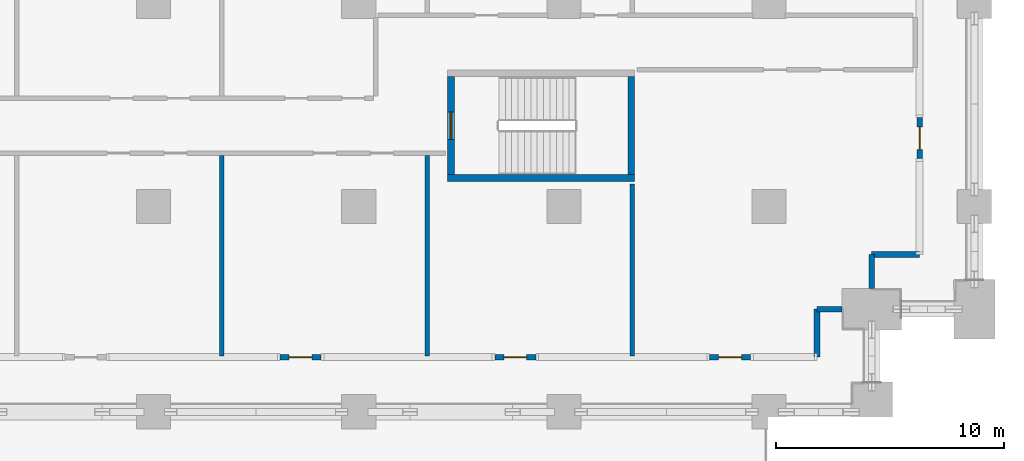
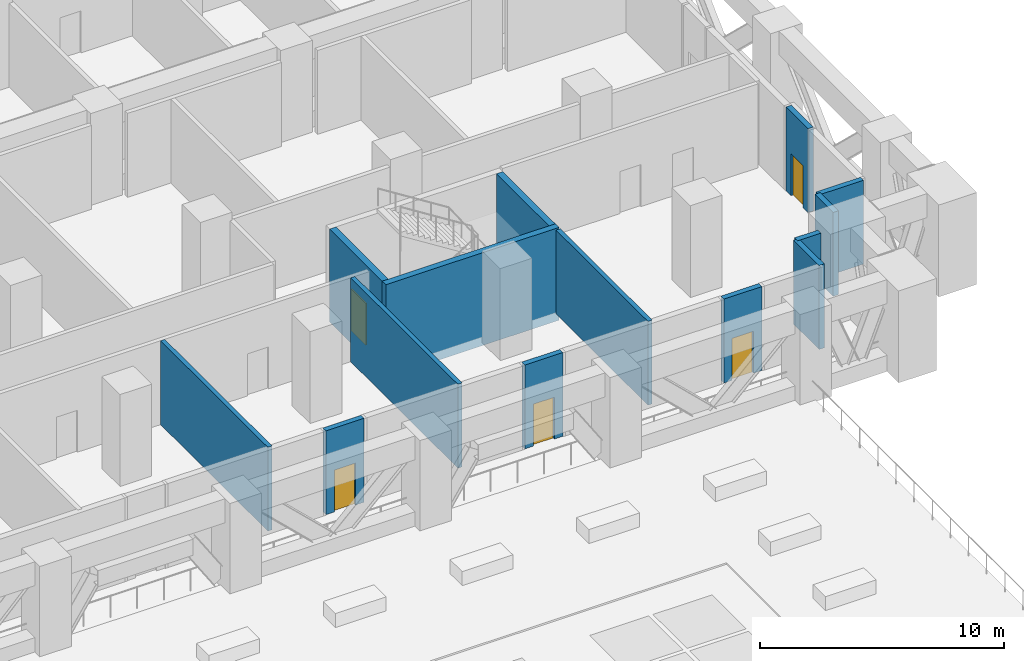
# One storey, part 14 of 31: 14 walls, 5 doors, 5 openings.
"""IFC4 building model written with IfcOpenShell, lengths in metres."""

from ifc_helpers import new_model, si_unit, direction, frame, frame_2d, origin, place, context, subcontext, project, spatial, rectangle, extrude, material, layer, layer_set, type_object, element, fill, save


model = new_model("IFC4")

# Units and contexts
model_context = context("Model", 3, precision=1e-05, world=origin(), true_north=direction((0.0, 1.0)))
body_context = subcontext(model_context, "Body", "Model", "MODEL_VIEW")
ifc_project = project(units=[si_unit("LENGTHUNIT", "METRE"), si_unit("AREAUNIT", "SQUARE_METRE"), si_unit("VOLUMEUNIT", "CUBIC_METRE"), si_unit("PLANEANGLEUNIT", "RADIAN"), si_unit("MASSUNIT", "GRAM", prefix="KILO")], contexts=[model_context])

# Site, building, storey
site_placement = place(None, origin())
site = spatial("IfcSite", under=ifc_project, at=site_placement, CompositionType="ELEMENT")
building_placement = place(site_placement, origin())
building = spatial("IfcBuilding", under=site, at=building_placement, Name="Hunhe Ridgeline Campus", CompositionType="ELEMENT")
storey_placement = place(building_placement, frame((0.0, 0.0, 31.199951171875)))
storey = spatial("IfcBuildingStorey", under=building, at=storey_placement, Name="L06", CompositionType="ELEMENT", Elevation=31.199951171875)

# Walls
ifc_material_1 = material(Name="Concrete C30", Category="concrete")
ifc_layer_1 = layer(ifc_material_1, 0.25)
ifc_layer_set_1 = layer_set([ifc_layer_1], Name="Corner return wall 250 Concrete C30")
wall_type_1 = type_object("IfcWallType", Name="Corner return wall 250 Concrete C30", PredefinedType="SOLIDWALL", material=ifc_layer_set_1)
wall_1_placement = place(storey_placement, frame((92.09912109375, 56.40087890625, 0.0), z_axis=(0.0, 0.0, 1.0), x_axis=(0.00011626555, 0.999999993241, 0.0)))
element("IfcWall", 1, at=wall_1_placement, inside=storey, type_object=wall_type_1, Name="Corner return wall 4", PredefinedType="SOLIDWALL", context=body_context, shape_type="SweptSolid", body=[
    extrude(rectangle(XDim=2.099853515625, YDim=0.25, at=frame_2d((1.0498046875, 0.0))), origin(), (0.0, 0.0, 1.0), 4.199951171875),
])
wall_2_placement = place(storey_placement, frame((92.099365234375, 58.500732421875, 0.0), z_axis=(0.0, 0.0, 1.0), x_axis=(1.0, 0.0, 0.0)))
element("IfcWall", 2, at=wall_2_placement, inside=storey, type_object=wall_type_1, Name="Corner return wall 5", PredefinedType="SOLIDWALL", context=body_context, shape_type="SweptSolid", body=[
    extrude(rectangle(XDim=1.1005859375, YDim=0.25, at=frame_2d((0.55029296875, 0.0))), origin(), (0.0, 0.0, 1.0), 4.199951171875),
])
wall_3_placement = place(storey_placement, frame((94.4990234375, 59.39990234375, 0.0), z_axis=(0.0, 0.0, 1.0), x_axis=(0.00016268098, 0.999999986767, 0.0)))
element("IfcWall", 3, at=wall_3_placement, inside=storey, type_object=wall_type_1, Name="Corner return wall 6", PredefinedType="SOLIDWALL", context=body_context, shape_type="SweptSolid", body=[
    extrude(rectangle(XDim=1.500732421875, YDim=0.25, at=frame_2d((0.75048828125, 0.0))), origin(), (0.0, 0.0, 1.0), 4.199951171875),
])
wall_4_placement = place(storey_placement, frame((94.499267578125, 60.900634765625, 0.0), z_axis=(0.0, 0.0, 1.0), x_axis=(0.999999993241, 0.00011626555, 0.0)))
element("IfcWall", 4, at=wall_4_placement, inside=storey, type_object=wall_type_1, Name="Corner return wall 7", PredefinedType="SOLIDWALL", context=body_context, shape_type="SweptSolid", body=[
    extrude(rectangle(XDim=2.099853515625, YDim=0.25, at=frame_2d((1.0498046875, 0.0))), origin(), (0.0, 0.0, 1.0), 4.199951171875),
])
ifc_material_2 = material(Name="Gypsum board partition")
ifc_layer_2 = layer(ifc_material_2, 0.199951171875)
ifc_layer_set_2 = layer_set([ifc_layer_2], Name="Corridor partition 200 gypsum board on steel studs")
wall_type_2 = type_object("IfcWallType", Name="Corridor partition 200 gypsum board on steel studs", PredefinedType="PARTITIONING", material=ifc_layer_set_2)
for number, where, z_axis, x_axis, name in (
    (5, (66.0, 65.25, 0.0), (0.0, 0.0, 1.0), (0.0, -1.0, 0.0), "F-L06-wall-079"),
    (6, (75.0, 65.25, 0.0), (0.0, 0.0, 1.0), (0.0, -1.0, 0.0), "F-L06-wall-083"),
):
    element("IfcWall", number, at=place(storey_placement, frame(where, z_axis=z_axis, x_axis=x_axis)), inside=storey, type_object=wall_type_2, Name=name, PredefinedType="PARTITIONING", context=body_context, shape_type="SweptSolid", body=[
        extrude(rectangle(XDim=8.795166015625, YDim=0.199951171875, at=frame_2d((4.3974609375, 0.0))), origin(), (0.0, 0.0, 1.0), 4.199951171875),
    ])
wall_5_placement = place(storey_placement, frame((84.0, 63.99609375, 0.0), z_axis=(0.0, 0.0, 1.0), x_axis=(0.0, -1.0, 0.0)))
element("IfcWall", 7, at=wall_5_placement, inside=storey, type_object=wall_type_2, Name="F-L06-wall-086", PredefinedType="PARTITIONING", context=body_context, shape_type="SweptSolid", body=[
    extrude(rectangle(XDim=7.541015625, YDim=0.199951171875, at=frame_2d((3.7705078125, 0.0))), origin(), (0.0, 0.0, 1.0), 4.199951171875),
])

# Wall, opening, door
ifc_layer_3 = layer(ifc_material_1, 0.25)
ifc_layer_set_3 = layer_set([ifc_layer_3], Name="Loggia door pier wall 250 Concrete C30")
wall_type_3 = type_object("IfcWallType", Name="Loggia door pier wall 250 Concrete C30", PredefinedType="SOLIDWALL", material=ifc_layer_set_3)
wall_6_placement = place(storey_placement, frame((68.54931640625, 56.40087890625, 0.0), z_axis=(0.0, 0.0, 1.0), x_axis=(1.0, 0.0, 0.0)))
wall_6 = element("IfcWall", 8, at=wall_6_placement, inside=storey, type_object=wall_type_3, Name="Loggia door pier 14", PredefinedType="SOLIDWALL", context=body_context, shape_type="SweptSolid", body=[
    extrude(rectangle(XDim=1.7998046875, YDim=0.25, at=frame_2d((0.89990234375, 0.0))), origin(), (0.0, 0.0, 1.0), 4.199951171875),
])
opening_1_placement = place(wall_6_placement, frame((0.39990234375, 0.0, 0.0)))
opening_1 = element("IfcOpeningElement", 9, at=opening_1_placement, cuts=wall_6, Name="Opening BR114", PredefinedType="OPENING", context=body_context, shape_type="SweptSolid", body=[
    extrude(rectangle(XDim=1.0, YDim=2.10009765625, at=frame_2d((0.5, 1.050048828125))), frame((0.0, 0.125, 0.0), z_axis=(0.0, -1.0, 0.0), x_axis=(1.0, 0.0, 0.0)), (0.0, 0.0, 1.0), 0.25),
])
ifc_material_3 = material(Name="Aluminium 6063", Category="aluminium")
door_type_1 = type_object("IfcDoorType", Name="Loggia glazed door 1000x2100", OperationType="NOTDEFINED", PredefinedType="DOOR", material=ifc_material_3)
door_1_placement = place(opening_1_placement, frame((1.0, 0.0, 0.0), z_axis=(0.0, 0.0, 1.0), x_axis=(-1.0, 0.0, 0.0)))
door_1 = element("IfcDoor", 10, at=door_1_placement, inside=storey, type_object=door_type_1, Name="Loggia door BR114", OperationType="SINGLE_SWING_LEFT", OverallHeight=2.10009765625, OverallWidth=1.0, PredefinedType="DOOR", context=body_context, shape_type="SweptSolid", body=[
    extrude(rectangle(XDim=1.0, YDim=2.10009765625, at=frame_2d((0.5, 1.050048828125))), frame((0.0, 0.02490234375, 0.0), z_axis=(0.0, -1.0, 0.0), x_axis=(1.0, 0.0, 0.0)), (0.0, 0.0, 1.0), 0.050048828125),
])
fill(opening_1, door_1)

wall_7_placement = place(storey_placement, frame((77.96923828125, 56.40087890625, 0.0), z_axis=(0.0, 0.0, 1.0), x_axis=(1.0, 0.0, 0.0)))
wall_7 = element("IfcWall", 11, at=wall_7_placement, inside=storey, type_object=wall_type_3, Name="Loggia door pier 15", PredefinedType="SOLIDWALL", context=body_context, shape_type="SweptSolid", body=[
    extrude(rectangle(XDim=1.7998046875, YDim=0.25, at=frame_2d((0.89990234375, 0.0))), origin(), (0.0, 0.0, 1.0), 4.199951171875),
])
opening_2_placement = place(wall_7_placement, frame((0.39990234375, 0.0, 0.0)))
opening_2 = element("IfcOpeningElement", 12, at=opening_2_placement, cuts=wall_7, Name="Opening BR115", PredefinedType="OPENING", context=body_context, shape_type="SweptSolid", body=[
    extrude(rectangle(XDim=1.0, YDim=2.10009765625, at=frame_2d((0.5, 1.050048828125))), frame((0.0, 0.125, 0.0), z_axis=(0.0, -1.0, 0.0), x_axis=(1.0, 0.0, 0.0)), (0.0, 0.0, 1.0), 0.25),
])
door_2_placement = place(opening_2_placement, frame((1.0, 0.0, 0.0), z_axis=(0.0, 0.0, 1.0), x_axis=(-1.0, 0.0, 0.0)))
door_2 = element("IfcDoor", 13, at=door_2_placement, inside=storey, type_object=door_type_1, Name="Loggia door BR115", OperationType="SINGLE_SWING_RIGHT", OverallHeight=2.10009765625, OverallWidth=1.0, PredefinedType="DOOR", context=body_context, shape_type="SweptSolid", body=[
    extrude(rectangle(XDim=1.0, YDim=2.10009765625, at=frame_2d((0.5, 1.050048828125))), frame((0.0, 0.02490234375, 0.0), z_axis=(0.0, -1.0, 0.0), x_axis=(1.0, 0.0, 0.0)), (0.0, 0.0, 1.0), 0.050048828125),
])
fill(opening_2, door_2)

wall_8_placement = place(storey_placement, frame((87.38916015625, 56.40087890625, 0.0), z_axis=(0.0, 0.0, 1.0), x_axis=(1.0, 0.0, 0.0)))
wall_8 = element("IfcWall", 14, at=wall_8_placement, inside=storey, type_object=wall_type_3, Name="Loggia door pier 16", PredefinedType="SOLIDWALL", context=body_context, shape_type="SweptSolid", body=[
    extrude(rectangle(XDim=1.7998046875, YDim=0.25, at=frame_2d((0.89990234375, 0.0))), origin(), (0.0, 0.0, 1.0), 4.199951171875),
])
opening_3_placement = place(wall_8_placement, frame((0.39990234375, 0.0, 0.0)))
opening_3 = element("IfcOpeningElement", 15, at=opening_3_placement, cuts=wall_8, Name="Opening BR116", PredefinedType="OPENING", context=body_context, shape_type="SweptSolid", body=[
    extrude(rectangle(XDim=1.0, YDim=2.10009765625, at=frame_2d((0.5, 1.050048828125))), frame((0.0, 0.125, 0.0), z_axis=(0.0, -1.0, 0.0), x_axis=(1.0, 0.0, 0.0)), (0.0, 0.0, 1.0), 0.25),
])
door_3_placement = place(opening_3_placement, frame((1.0, 0.0, 0.0), z_axis=(0.0, 0.0, 1.0), x_axis=(-1.0, 0.0, 0.0)))
door_3 = element("IfcDoor", 16, at=door_3_placement, inside=storey, type_object=door_type_1, Name="Loggia door BR116", OperationType="SINGLE_SWING_LEFT", OverallHeight=2.10009765625, OverallWidth=1.0, PredefinedType="DOOR", context=body_context, shape_type="SweptSolid", body=[
    extrude(rectangle(XDim=1.0, YDim=2.10009765625, at=frame_2d((0.5, 1.050048828125))), frame((0.0, 0.02490234375, 0.0), z_axis=(0.0, -1.0, 0.0), x_axis=(1.0, 0.0, 0.0)), (0.0, 0.0, 1.0), 0.050048828125),
])
fill(opening_3, door_3)

wall_9_placement = place(storey_placement, frame((96.59912109375, 65.100830078125, 0.0), z_axis=(0.0, 0.0, 1.0), x_axis=(0.0, 1.0, 0.0)))
wall_9 = element("IfcWall", 17, at=wall_9_placement, inside=storey, type_object=wall_type_3, Name="Loggia door pier 17", PredefinedType="SOLIDWALL", context=body_context, shape_type="SweptSolid", body=[
    extrude(rectangle(XDim=1.800048828125, YDim=0.25, at=frame_2d((0.89990234375, 0.0))), origin(), (0.0, 0.0, 1.0), 4.199951171875),
])
opening_4_placement = place(wall_9_placement, frame((0.39990234375, 0.0, 0.0)))
opening_4 = element("IfcOpeningElement", 18, at=opening_4_placement, cuts=wall_9, Name="Opening BR117", PredefinedType="OPENING", context=body_context, shape_type="SweptSolid", body=[
    extrude(rectangle(XDim=1.0, YDim=2.10009765625, at=frame_2d((0.5, 1.050048828125))), frame((0.0, 0.125, 0.0), z_axis=(0.0, -1.0, 0.0), x_axis=(1.0, 0.0, 0.0)), (0.0, 0.0, 1.0), 0.25),
])
door_4_placement = place(opening_4_placement, frame((1.0, 0.0, 0.0), z_axis=(0.0, 0.0, 1.0), x_axis=(-1.0, 0.0, 0.0)))
door_4 = element("IfcDoor", 19, at=door_4_placement, inside=storey, type_object=door_type_1, Name="Loggia door BR117", OperationType="SINGLE_SWING_RIGHT", OverallHeight=2.10009765625, OverallWidth=1.0, PredefinedType="DOOR", context=body_context, shape_type="SweptSolid", body=[
    extrude(rectangle(XDim=1.0, YDim=2.10009765625, at=frame_2d((0.5, 1.050048828125))), frame((0.0, 0.02490234375, 0.0), z_axis=(0.0, -1.0, 0.0), x_axis=(1.0, 0.0, 0.0)), (0.0, 0.0, 1.0), 0.050048828125),
])
fill(opening_4, door_4)

# Wall
ifc_material_4 = material(Name="Concrete C80", Category="concrete")
ifc_layer_4 = layer(ifc_material_4, 0.300048828125)
ifc_layer_set_4 = layer_set([ifc_layer_4], Name="Stair wall 300 reinforced concrete C80")
wall_type_4 = type_object("IfcWallType", Name="Stair wall 300 reinforced concrete C80", PredefinedType="SOLIDWALL", material=ifc_layer_set_4)
wall_10_placement = place(storey_placement, frame((75.89990234375, 64.25, -0.449951171875), z_axis=(0.0, 0.0, 1.0), x_axis=(1.0, 0.0, 0.0)))
element("IfcWall", 20, at=wall_10_placement, inside=storey, type_object=wall_type_4, Name="L06 core wall 8", PredefinedType="SOLIDWALL", context=body_context, shape_type="SweptSolid", body=[
    extrude(rectangle(XDim=8.2001953125, YDim=0.300048828125, at=frame_2d((4.10009765625, 0.0))), origin(), (0.0, 0.0, 1.0), 4.64990234375),
])

# Wall, opening, door
wall_11_placement = place(storey_placement, frame((76.050048828125, 64.39990234375, -0.449951171875), z_axis=(0.0, 0.0, 1.0), x_axis=(0.0, 1.0, 0.0)))
wall_11 = element("IfcWall", 21, at=wall_11_placement, inside=storey, type_object=wall_type_4, Name="L06 core wall 71", PredefinedType="SOLIDWALL", context=body_context, shape_type="SweptSolid", body=[
    extrude(rectangle(XDim=4.300048828125, YDim=0.300048828125, at=frame_2d((2.14990234375, 0.0))), origin(), (0.0, 0.0, 1.0), 4.64990234375),
])
opening_5_placement = place(wall_11_placement, frame((1.550048828125, 0.0, 0.449951171875)))
opening_5 = element("IfcOpeningElement", 22, at=opening_5_placement, cuts=wall_11, Name="Opening CD24", PredefinedType="OPENING", context=body_context, shape_type="SweptSolid", body=[
    extrude(rectangle(XDim=1.199951171875, YDim=2.10009765625, at=frame_2d((0.60009765625, 1.050048828125))), frame((0.0, 0.14990234375, 0.0), z_axis=(0.0, -1.0, 0.0), x_axis=(1.0, 0.0, 0.0)), (0.0, 0.0, 1.0), 0.300048828125),
])
ifc_material_5 = material(Name="Hollow metal fire door leaf")
door_type_2 = type_object("IfcDoorType", Name="Stair door 1200x2100 FD60", OperationType="SINGLE_SWING_LEFT", PredefinedType="DOOR", material=ifc_material_5)
door_5_placement = place(opening_5_placement, origin())
door_5 = element("IfcDoor", 23, at=door_5_placement, inside=storey, type_object=door_type_2, Name="L06 door E5", OperationType="SINGLE_SWING_RIGHT", OverallHeight=2.10009765625, OverallWidth=1.199951171875, PredefinedType="DOOR", context=body_context, shape_type="SweptSolid", body=[
    extrude(rectangle(XDim=1.199951171875, YDim=2.10009765625, at=frame_2d((0.60009765625, 1.050048828125))), frame((0.0, 0.02490234375, 0.0), z_axis=(0.0, -1.0, 0.0), x_axis=(1.0, 0.0, 0.0)), (0.0, 0.0, 1.0), 0.050048828125),
])
fill(opening_5, door_5)

# Wall
wall_12_placement = place(storey_placement, frame((83.949951171875, 64.39990234375, -0.449951171875), z_axis=(0.0, 0.0, 1.0), x_axis=(0.0, 1.0, 0.0)))
element("IfcWall", 24, at=wall_12_placement, inside=storey, type_object=wall_type_4, Name="L06 core wall 72", PredefinedType="SOLIDWALL", context=body_context, shape_type="SweptSolid", body=[
    extrude(rectangle(XDim=4.300048828125, YDim=0.300048828125, at=frame_2d((2.14990234375, 0.0))), origin(), (0.0, 0.0, 1.0), 4.64990234375),
])

save(model, "model.ifc")
